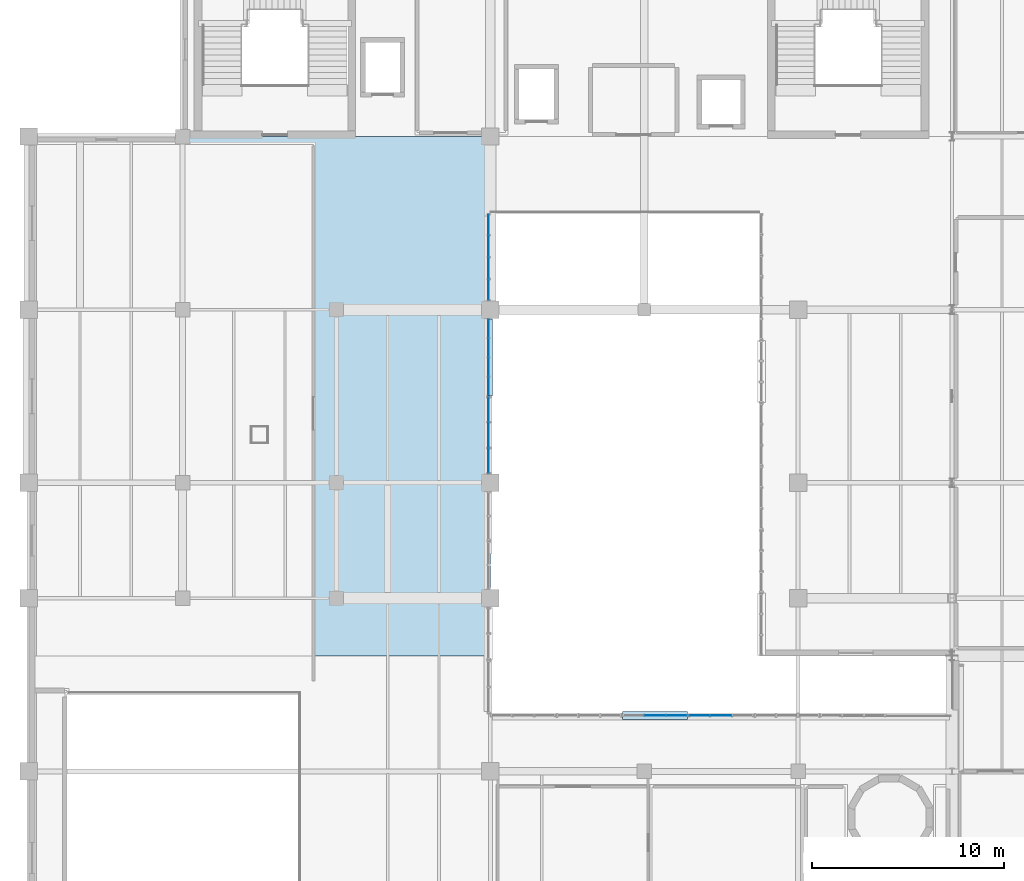
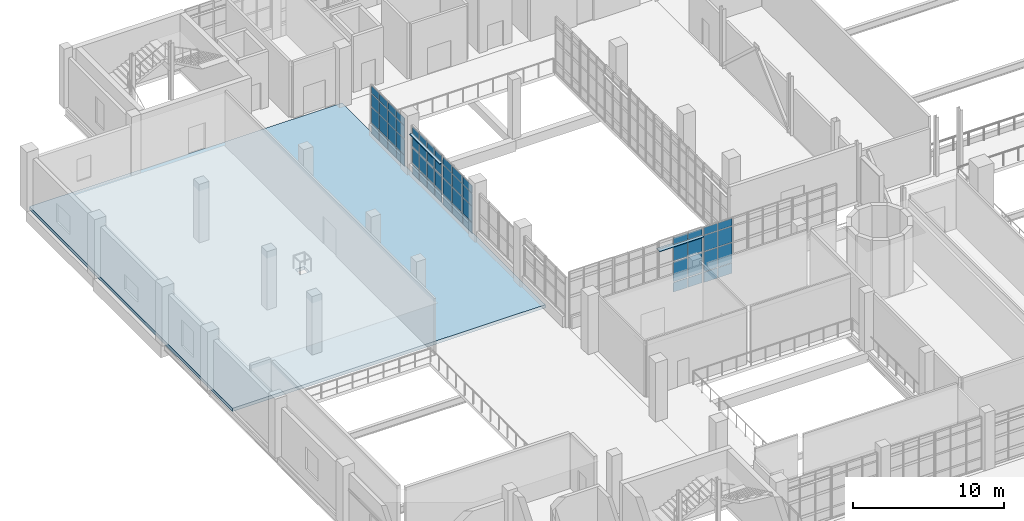
# One storey, part 68 of 102: 62 plates, 1 slab, 5 elements without a shape of their own.
"""IFC4 building model written with IfcOpenShell, lengths in metres."""

from ifc_helpers import new_model, si_unit, derived_unit, direction, frame, origin, origin_2d, place, context, subcontext, project, spatial, polyline, rectangle, outline, extrude, material, layer, layer_set, type_object, element, aggregate, save


model = new_model("IFC4")

# Units and contexts
model_context = context("Model", 3, precision=1e-05, world=origin(), true_north=direction((0.0, 1.0)))
body_context = subcontext(model_context, "Body", "Model", "MODEL_VIEW")
ifc_project = project(units=[si_unit("LENGTHUNIT", "METRE"), si_unit("AREAUNIT", "SQUARE_METRE"), si_unit("VOLUMEUNIT", "CUBIC_METRE"), si_unit("PLANEANGLEUNIT", "RADIAN"), si_unit("MASSUNIT", "GRAM", prefix="KILO"), derived_unit("THERMALTRANSMITTANCEUNIT", [(si_unit("POWERUNIT", "WATT"), 1), (si_unit("LENGTHUNIT", "METRE"), -2), (si_unit("THERMODYNAMICTEMPERATUREUNIT", "KELVIN"), -1)])], contexts=[model_context])

# Site, building, storey
site_placement = place(None, origin())
site = spatial("IfcSite", under=ifc_project, at=site_placement, CompositionType="ELEMENT")
building_placement = place(site_placement, origin())
building = spatial("IfcBuilding", under=site, at=building_placement, Name="Nallur Shell Playhouse", CompositionType="ELEMENT")
storey_placement = place(building_placement, frame((0.0, 0.0, 15.0)))
storey = spatial("IfcBuildingStorey", under=building, at=storey_placement, Name="L04", CompositionType="ELEMENT", Elevation=15.0)

# Curtain wall, plates
ifc_material_1 = material(Name="Anodised Aluminium Double-Glazed Facade System", Category="aluminium")
ifc_layer_1 = layer(ifc_material_1, 0.179931640625)
ifc_layer_set_1 = layer_set([ifc_layer_1], Name="Anodised Aluminium Double-Glazed Facade System")
curtain_wall_type_1 = type_object("IfcCurtainWallType", Name="CW-UNIT-11", PredefinedType="NOTDEFINED", material=ifc_layer_set_1)
curtain_wall_1_placement = place(storey_placement, origin())
curtain_wall_1 = element("IfcCurtainWall", 1, at=curtain_wall_1_placement, inside=storey, type_object=curtain_wall_type_1, Name="Unitised curtain wall CW-139 (L04)", PredefinedType="NOTDEFINED")
ifc_material_2 = material(Name="Solar-Control Low-E Laminated Insulating Glass", Category="glass")
ifc_layer_2 = layer(ifc_material_2, 0.030029296875)
ifc_layer_set_2 = layer_set([ifc_layer_2], Name="Solar-Control Low-E Laminated Insulating Glass")
plate_type_1 = type_object("IfcPlateType", Name="PT-GLZ-03", PredefinedType="CURTAIN_PANEL", material=ifc_layer_set_2)
plate_1_placement = place(storey_placement, frame((39.909912109375, 69.416015625, 0.05712890625), z_axis=(0.0, 0.0, 1.0), x_axis=(0.0, -1.0, 0.0)))
plate_1 = element("IfcPlate", 2, at=plate_1_placement, type_object=plate_type_1, Name="CW-11 panel 1.1", PredefinedType="CURTAIN_PANEL", context=body_context, shape_type="SweptSolid", body=[
    extrude(rectangle(XDim=1.053955078125, YDim=0.030029296875, at=origin_2d()), origin(), (0.0, 0.0, 1.0), 0.818603515625),
])
plate_2_placement = place(storey_placement, frame((39.909912109375, 69.416015625, 0.92431640625), z_axis=(0.0, 0.0, 1.0), x_axis=(0.0, -1.0, 0.0)))
plate_2 = element("IfcPlate", 3, at=plate_2_placement, type_object=plate_type_1, Name="CW-11 panel 1.2", PredefinedType="CURTAIN_PANEL", context=body_context, shape_type="SweptSolid", body=[
    extrude(rectangle(XDim=1.053955078125, YDim=0.030029296875, at=origin_2d()), origin(), (0.0, 0.0, 1.0), 1.277099609375),
])
plate_3_placement = place(storey_placement, frame((39.909912109375, 69.416015625, 2.25048828125), z_axis=(0.0, 0.0, 1.0), x_axis=(0.0, -1.0, 0.0)))
plate_3 = element("IfcPlate", 4, at=plate_3_placement, type_object=plate_type_1, Name="CW-11 panel 1.3", PredefinedType="CURTAIN_PANEL", context=body_context, shape_type="SweptSolid", body=[
    extrude(rectangle(XDim=1.053955078125, YDim=0.030029296875, at=origin_2d()), origin(), (0.0, 0.0, 1.0), 1.02001953125),
])
plate_4_placement = place(storey_placement, frame((39.909912109375, 69.416015625, 3.3193359375), z_axis=(0.0, 0.0, 1.0), x_axis=(0.0, -1.0, 0.0)))
plate_4 = element("IfcPlate", 5, at=plate_4_placement, type_object=plate_type_1, Name="CW-11 panel 1.4", PredefinedType="CURTAIN_PANEL", context=body_context, shape_type="SweptSolid", body=[
    extrude(rectangle(XDim=1.053955078125, YDim=0.030029296875, at=origin_2d()), origin(), (0.0, 0.0, 1.0), 0.598388671875),
])
plate_5_placement = place(storey_placement, frame((39.909912109375, 68.296630859375, 0.05712890625), z_axis=(0.0, 0.0, 1.0), x_axis=(0.0, -1.0, 0.0)))
plate_5 = element("IfcPlate", 6, at=plate_5_placement, type_object=plate_type_1, Name="CW-11 panel 2.1", PredefinedType="CURTAIN_PANEL", context=body_context, shape_type="SweptSolid", body=[
    extrude(rectangle(XDim=1.08642578125, YDim=0.030029296875, at=origin_2d()), origin(), (0.0, 0.0, 1.0), 0.818603515625),
])
plate_6_placement = place(storey_placement, frame((39.909912109375, 68.296630859375, 0.92431640625), z_axis=(0.0, 0.0, 1.0), x_axis=(0.0, -1.0, 0.0)))
plate_6 = element("IfcPlate", 7, at=plate_6_placement, type_object=plate_type_1, Name="CW-11 panel 2.2", PredefinedType="CURTAIN_PANEL", context=body_context, shape_type="SweptSolid", body=[
    extrude(rectangle(XDim=1.08642578125, YDim=0.030029296875, at=origin_2d()), origin(), (0.0, 0.0, 1.0), 1.277099609375),
])
plate_7_placement = place(storey_placement, frame((39.909912109375, 68.296630859375, 2.25048828125), z_axis=(0.0, 0.0, 1.0), x_axis=(0.0, -1.0, 0.0)))
plate_7 = element("IfcPlate", 8, at=plate_7_placement, type_object=plate_type_1, Name="CW-11 panel 2.3", PredefinedType="CURTAIN_PANEL", context=body_context, shape_type="SweptSolid", body=[
    extrude(rectangle(XDim=1.08642578125, YDim=0.030029296875, at=origin_2d()), origin(), (0.0, 0.0, 1.0), 1.02001953125),
])
plate_8_placement = place(storey_placement, frame((39.909912109375, 68.296630859375, 3.3193359375), z_axis=(0.0, 0.0, 1.0), x_axis=(0.0, -1.0, 0.0)))
plate_8 = element("IfcPlate", 9, at=plate_8_placement, type_object=plate_type_1, Name="CW-11 panel 2.4", PredefinedType="CURTAIN_PANEL", context=body_context, shape_type="SweptSolid", body=[
    extrude(rectangle(XDim=1.08642578125, YDim=0.030029296875, at=origin_2d()), origin(), (0.0, 0.0, 1.0), 0.598388671875),
])
plate_9_placement = place(storey_placement, frame((39.909912109375, 67.1611328125, 0.05712890625), z_axis=(0.0, 0.0, 1.0), x_axis=(0.0, -1.0, 0.0)))
plate_9 = element("IfcPlate", 10, at=plate_9_placement, type_object=plate_type_1, Name="CW-11 panel 3.1", PredefinedType="CURTAIN_PANEL", context=body_context, shape_type="SweptSolid", body=[
    extrude(rectangle(XDim=1.08642578125, YDim=0.030029296875, at=origin_2d()), origin(), (0.0, 0.0, 1.0), 0.818603515625),
])
plate_10_placement = place(storey_placement, frame((39.909912109375, 67.1611328125, 0.92431640625), z_axis=(0.0, 0.0, 1.0), x_axis=(0.0, -1.0, 0.0)))
plate_10 = element("IfcPlate", 11, at=plate_10_placement, type_object=plate_type_1, Name="CW-11 panel 3.2", PredefinedType="CURTAIN_PANEL", context=body_context, shape_type="SweptSolid", body=[
    extrude(rectangle(XDim=1.08642578125, YDim=0.030029296875, at=origin_2d()), origin(), (0.0, 0.0, 1.0), 1.277099609375),
])
plate_11_placement = place(storey_placement, frame((39.909912109375, 67.1611328125, 2.25048828125), z_axis=(0.0, 0.0, 1.0), x_axis=(0.0, -1.0, 0.0)))
plate_11 = element("IfcPlate", 12, at=plate_11_placement, type_object=plate_type_1, Name="CW-11 panel 3.3", PredefinedType="CURTAIN_PANEL", context=body_context, shape_type="SweptSolid", body=[
    extrude(rectangle(XDim=1.08642578125, YDim=0.030029296875, at=origin_2d()), origin(), (0.0, 0.0, 1.0), 1.02001953125),
])
plate_12_placement = place(storey_placement, frame((39.909912109375, 67.1611328125, 3.3193359375), z_axis=(0.0, 0.0, 1.0), x_axis=(0.0, -1.0, 0.0)))
plate_12 = element("IfcPlate", 13, at=plate_12_placement, type_object=plate_type_1, Name="CW-11 panel 3.4", PredefinedType="CURTAIN_PANEL", context=body_context, shape_type="SweptSolid", body=[
    extrude(rectangle(XDim=1.08642578125, YDim=0.030029296875, at=origin_2d()), origin(), (0.0, 0.0, 1.0), 0.598388671875),
])
plate_13_placement = place(storey_placement, frame((39.909912109375, 66.0419921875, 0.05712890625), z_axis=(0.0, 0.0, 1.0), x_axis=(0.0, -1.0, 0.0)))
plate_13 = element("IfcPlate", 14, at=plate_13_placement, type_object=plate_type_1, Name="CW-11 panel 4.1", PredefinedType="CURTAIN_PANEL", context=body_context, shape_type="SweptSolid", body=[
    extrude(rectangle(XDim=1.053955078125, YDim=0.030029296875, at=origin_2d()), origin(), (0.0, 0.0, 1.0), 0.818603515625),
])
plate_14_placement = place(storey_placement, frame((39.909912109375, 66.0419921875, 0.92431640625), z_axis=(0.0, 0.0, 1.0), x_axis=(0.0, -1.0, 0.0)))
plate_14 = element("IfcPlate", 15, at=plate_14_placement, type_object=plate_type_1, Name="CW-11 panel 4.2", PredefinedType="CURTAIN_PANEL", context=body_context, shape_type="SweptSolid", body=[
    extrude(rectangle(XDim=1.053955078125, YDim=0.030029296875, at=origin_2d()), origin(), (0.0, 0.0, 1.0), 1.277099609375),
])
plate_15_placement = place(storey_placement, frame((39.909912109375, 66.0419921875, 2.25048828125), z_axis=(0.0, 0.0, 1.0), x_axis=(0.0, -1.0, 0.0)))
plate_15 = element("IfcPlate", 16, at=plate_15_placement, type_object=plate_type_1, Name="CW-11 panel 4.3", PredefinedType="CURTAIN_PANEL", context=body_context, shape_type="SweptSolid", body=[
    extrude(rectangle(XDim=1.053955078125, YDim=0.030029296875, at=origin_2d()), origin(), (0.0, 0.0, 1.0), 1.02001953125),
])
plate_16_placement = place(storey_placement, frame((39.909912109375, 66.0419921875, 3.3193359375), z_axis=(0.0, 0.0, 1.0), x_axis=(0.0, -1.0, 0.0)))
plate_16 = element("IfcPlate", 17, at=plate_16_placement, type_object=plate_type_1, Name="CW-11 panel 4.4", PredefinedType="CURTAIN_PANEL", context=body_context, shape_type="SweptSolid", body=[
    extrude(rectangle(XDim=1.053955078125, YDim=0.030029296875, at=origin_2d()), origin(), (0.0, 0.0, 1.0), 0.598388671875),
])
aggregate(curtain_wall_1, [plate_1, plate_2, plate_3, plate_4, plate_5, plate_6, plate_7, plate_8, plate_9, plate_10, plate_11, plate_12, plate_13, plate_14, plate_15, plate_16])

ifc_layer_3 = layer(ifc_material_1, 0.159912109375)
ifc_layer_set_3 = layer_set([ifc_layer_3], Name="Anodised Aluminium Double-Glazed Facade System")
curtain_wall_type_2 = type_object("IfcCurtainWallType", Name="CW-UNIT-12", PredefinedType="NOTDEFINED", material=ifc_layer_set_3)
curtain_wall_2_placement = place(storey_placement, origin())
curtain_wall_2 = element("IfcCurtainWall", 18, at=curtain_wall_2_placement, inside=storey, type_object=curtain_wall_type_2, Name="Unitised curtain wall CW-140 (L04)", PredefinedType="NOTDEFINED")
ifc_layer_4 = layer(ifc_material_2, 0.031982421875)
ifc_layer_set_4 = layer_set([ifc_layer_4], Name="Solar-Control Low-E Laminated Insulating Glass")
plate_type_2 = type_object("IfcPlateType", Name="PT-GLZ-04", PredefinedType="CURTAIN_PANEL", material=ifc_layer_set_4)
plate_17_placement = place(storey_placement, frame((39.909912109375, 64.017333984375, 0.092041015625), z_axis=(0.0, 0.0, 1.0), x_axis=(0.0, -1.0, 0.0)))
plate_17 = element("IfcPlate", 19, at=plate_17_placement, type_object=plate_type_2, Name="CW-12 panel 1.1", PredefinedType="CURTAIN_PANEL", context=body_context, shape_type="SweptSolid", body=[
    extrude(rectangle(XDim=0.9052734375, YDim=0.031982421875, at=origin_2d()), origin(), (0.0, 0.0, 1.0), 0.76611328125),
])
plate_18_placement = place(storey_placement, frame((39.909912109375, 64.017333984375, 0.94189453125), z_axis=(0.0, 0.0, 1.0), x_axis=(0.0, -1.0, 0.0)))
plate_18 = element("IfcPlate", 20, at=plate_18_placement, type_object=plate_type_2, Name="CW-12 panel 1.2", PredefinedType="CURTAIN_PANEL", context=body_context, shape_type="SweptSolid", body=[
    extrude(rectangle(XDim=0.9052734375, YDim=0.031982421875, at=origin_2d()), origin(), (0.0, 0.0, 1.0), 1.248046875),
])
plate_19_placement = place(storey_placement, frame((39.909912109375, 64.017333984375, 2.27392578125), z_axis=(0.0, 0.0, 1.0), x_axis=(0.0, -1.0, 0.0)))
plate_19 = element("IfcPlate", 21, at=plate_19_placement, type_object=plate_type_2, Name="CW-12 panel 1.3", PredefinedType="CURTAIN_PANEL", context=body_context, shape_type="SweptSolid", body=[
    extrude(rectangle(XDim=0.9052734375, YDim=0.031982421875, at=origin_2d()), origin(), (0.0, 0.0, 1.0), 0.989013671875),
])
plate_20_placement = place(storey_placement, frame((39.909912109375, 64.017333984375, 3.34716796875), z_axis=(0.0, 0.0, 1.0), x_axis=(0.0, -1.0, 0.0)))
plate_20 = element("IfcPlate", 22, at=plate_20_placement, type_object=plate_type_2, Name="CW-12 panel 1.4", PredefinedType="CURTAIN_PANEL", context=body_context, shape_type="SweptSolid", body=[
    extrude(rectangle(XDim=0.9052734375, YDim=0.031982421875, at=origin_2d()), origin(), (0.0, 0.0, 1.0), 0.5458984375),
])
plate_21_placement = place(storey_placement, frame((39.909912109375, 63.028076171875, 0.092041015625), z_axis=(0.0, 0.0, 1.0), x_axis=(0.0, -1.0, 0.0)))
plate_21 = element("IfcPlate", 23, at=plate_21_placement, type_object=plate_type_2, Name="CW-12 panel 2.1", PredefinedType="CURTAIN_PANEL", context=body_context, shape_type="SweptSolid", body=[
    extrude(rectangle(XDim=0.9453125, YDim=0.031982421875, at=origin_2d()), origin(), (0.0, 0.0, 1.0), 0.76611328125),
])
plate_22_placement = place(storey_placement, frame((39.909912109375, 63.028076171875, 0.94189453125), z_axis=(0.0, 0.0, 1.0), x_axis=(0.0, -1.0, 0.0)))
plate_22 = element("IfcPlate", 24, at=plate_22_placement, type_object=plate_type_2, Name="CW-12 panel 2.2", PredefinedType="CURTAIN_PANEL", context=body_context, shape_type="SweptSolid", body=[
    extrude(rectangle(XDim=0.9453125, YDim=0.031982421875, at=origin_2d()), origin(), (0.0, 0.0, 1.0), 1.248046875),
])
plate_23_placement = place(storey_placement, frame((39.909912109375, 63.028076171875, 2.27392578125), z_axis=(0.0, 0.0, 1.0), x_axis=(0.0, -1.0, 0.0)))
plate_23 = element("IfcPlate", 25, at=plate_23_placement, type_object=plate_type_2, Name="CW-12 panel 2.3", PredefinedType="CURTAIN_PANEL", context=body_context, shape_type="SweptSolid", body=[
    extrude(rectangle(XDim=0.9453125, YDim=0.031982421875, at=origin_2d()), origin(), (0.0, 0.0, 1.0), 0.989013671875),
])
plate_24_placement = place(storey_placement, frame((39.909912109375, 63.028076171875, 3.34716796875), z_axis=(0.0, 0.0, 1.0), x_axis=(0.0, -1.0, 0.0)))
plate_24 = element("IfcPlate", 26, at=plate_24_placement, type_object=plate_type_2, Name="CW-12 panel 2.4", PredefinedType="CURTAIN_PANEL", context=body_context, shape_type="SweptSolid", body=[
    extrude(rectangle(XDim=0.9453125, YDim=0.031982421875, at=origin_2d()), origin(), (0.0, 0.0, 1.0), 0.5458984375),
])
plate_25_placement = place(storey_placement, frame((39.909912109375, 62.018798828125, 0.092041015625), z_axis=(0.0, 0.0, 1.0), x_axis=(0.0, -1.0, 0.0)))
plate_25 = element("IfcPlate", 27, at=plate_25_placement, type_object=plate_type_2, Name="CW-12 panel 3.1", PredefinedType="CURTAIN_PANEL", context=body_context, shape_type="SweptSolid", body=[
    extrude(rectangle(XDim=0.9453125, YDim=0.031982421875, at=origin_2d()), origin(), (0.0, 0.0, 1.0), 0.76611328125),
])
plate_26_placement = place(storey_placement, frame((39.909912109375, 62.018798828125, 0.94189453125), z_axis=(0.0, 0.0, 1.0), x_axis=(0.0, -1.0, 0.0)))
plate_26 = element("IfcPlate", 28, at=plate_26_placement, type_object=plate_type_2, Name="CW-12 panel 3.2", PredefinedType="CURTAIN_PANEL", context=body_context, shape_type="SweptSolid", body=[
    extrude(rectangle(XDim=0.9453125, YDim=0.031982421875, at=origin_2d()), origin(), (0.0, 0.0, 1.0), 1.248046875),
])
plate_27_placement = place(storey_placement, frame((39.909912109375, 62.018798828125, 2.27392578125), z_axis=(0.0, 0.0, 1.0), x_axis=(0.0, -1.0, 0.0)))
plate_27 = element("IfcPlate", 29, at=plate_27_placement, type_object=plate_type_2, Name="CW-12 panel 3.3", PredefinedType="CURTAIN_PANEL", context=body_context, shape_type="SweptSolid", body=[
    extrude(rectangle(XDim=0.9453125, YDim=0.031982421875, at=origin_2d()), origin(), (0.0, 0.0, 1.0), 0.989013671875),
])
plate_28_placement = place(storey_placement, frame((39.909912109375, 62.018798828125, 3.34716796875), z_axis=(0.0, 0.0, 1.0), x_axis=(0.0, -1.0, 0.0)))
plate_28 = element("IfcPlate", 30, at=plate_28_placement, type_object=plate_type_2, Name="CW-12 panel 3.4", PredefinedType="CURTAIN_PANEL", context=body_context, shape_type="SweptSolid", body=[
    extrude(rectangle(XDim=0.9453125, YDim=0.031982421875, at=origin_2d()), origin(), (0.0, 0.0, 1.0), 0.5458984375),
])
plate_29_placement = place(storey_placement, frame((39.909912109375, 61.029541015625, 0.092041015625), z_axis=(0.0, 0.0, 1.0), x_axis=(0.0, -1.0, 0.0)))
plate_29 = element("IfcPlate", 31, at=plate_29_placement, type_object=plate_type_2, Name="CW-12 panel 4.1", PredefinedType="CURTAIN_PANEL", context=body_context, shape_type="SweptSolid", body=[
    extrude(rectangle(XDim=0.9052734375, YDim=0.031982421875, at=origin_2d()), origin(), (0.0, 0.0, 1.0), 0.76611328125),
])
plate_30_placement = place(storey_placement, frame((39.909912109375, 61.029541015625, 0.94189453125), z_axis=(0.0, 0.0, 1.0), x_axis=(0.0, -1.0, 0.0)))
plate_30 = element("IfcPlate", 32, at=plate_30_placement, type_object=plate_type_2, Name="CW-12 panel 4.2", PredefinedType="CURTAIN_PANEL", context=body_context, shape_type="SweptSolid", body=[
    extrude(rectangle(XDim=0.9052734375, YDim=0.031982421875, at=origin_2d()), origin(), (0.0, 0.0, 1.0), 1.248046875),
])
plate_31_placement = place(storey_placement, frame((39.909912109375, 61.029541015625, 2.27392578125), z_axis=(0.0, 0.0, 1.0), x_axis=(0.0, -1.0, 0.0)))
plate_31 = element("IfcPlate", 33, at=plate_31_placement, type_object=plate_type_2, Name="CW-12 panel 4.3", PredefinedType="CURTAIN_PANEL", context=body_context, shape_type="SweptSolid", body=[
    extrude(rectangle(XDim=0.9052734375, YDim=0.031982421875, at=origin_2d()), origin(), (0.0, 0.0, 1.0), 0.989013671875),
])
plate_32_placement = place(storey_placement, frame((39.909912109375, 61.029541015625, 3.34716796875), z_axis=(0.0, 0.0, 1.0), x_axis=(0.0, -1.0, 0.0)))
plate_32 = element("IfcPlate", 34, at=plate_32_placement, type_object=plate_type_2, Name="CW-12 panel 4.4", PredefinedType="CURTAIN_PANEL", context=body_context, shape_type="SweptSolid", body=[
    extrude(rectangle(XDim=0.9052734375, YDim=0.031982421875, at=origin_2d()), origin(), (0.0, 0.0, 1.0), 0.5458984375),
])
aggregate(curtain_wall_2, [plate_17, plate_18, plate_19, plate_20, plate_21, plate_22, plate_23, plate_24, plate_25, plate_26, plate_27, plate_28, plate_29, plate_30, plate_31, plate_32])

ifc_layer_5 = layer(ifc_material_1, 0.16796875)
ifc_layer_set_5 = layer_set([ifc_layer_5], Name="Anodised Aluminium Double-Glazed Facade System")
curtain_wall_type_3 = type_object("IfcCurtainWallType", Name="CW-UNIT-20", PredefinedType="NOTDEFINED", material=ifc_layer_set_5)
curtain_wall_3_placement = place(storey_placement, origin())
curtain_wall_3 = element("IfcCurtainWall", 35, at=curtain_wall_3_placement, inside=storey, type_object=curtain_wall_type_3, Name="Unitised curtain wall CW-148 (L04)", PredefinedType="NOTDEFINED")
plate_33_placement = place(storey_placement, frame((48.5712890625, 43.909912109375, 0.092041015625), z_axis=(0.0, 0.0, 1.0), x_axis=(1.0, 0.0, 0.0)))
plate_33 = element("IfcPlate", 36, at=plate_33_placement, type_object=plate_type_2, Name="CW-20 panel 2.1", PredefinedType="CURTAIN_PANEL", context=body_context, shape_type="SweptSolid", body=[
    extrude(rectangle(XDim=1.090576171875, YDim=0.031982421875, at=origin_2d()), origin(), (0.0, 0.0, 1.0), 0.76611328125),
])
plate_34_placement = place(storey_placement, frame((48.5712890625, 43.909912109375, 0.94189453125), z_axis=(0.0, 0.0, 1.0), x_axis=(1.0, 0.0, 0.0)))
plate_34 = element("IfcPlate", 37, at=plate_34_placement, type_object=plate_type_2, Name="CW-20 panel 2.2", PredefinedType="CURTAIN_PANEL", context=body_context, shape_type="SweptSolid", body=[
    extrude(rectangle(XDim=1.090576171875, YDim=0.031982421875, at=origin_2d()), origin(), (0.0, 0.0, 1.0), 1.5810546875),
])
plate_35_placement = place(storey_placement, frame((48.5712890625, 43.909912109375, 2.60693359375), z_axis=(0.0, 0.0, 1.0), x_axis=(1.0, 0.0, 0.0)))
plate_35 = element("IfcPlate", 38, at=plate_35_placement, type_object=plate_type_2, Name="CW-20 panel 2.3", PredefinedType="CURTAIN_PANEL", context=body_context, shape_type="SweptSolid", body=[
    extrude(rectangle(XDim=1.090576171875, YDim=0.031982421875, at=origin_2d()), origin(), (0.0, 0.0, 1.0), 1.2509765625),
])
plate_36_placement = place(storey_placement, frame((48.5712890625, 43.909912109375, 3.942138671875), z_axis=(0.0, 0.0, 1.0), x_axis=(1.0, 0.0, 0.0)))
plate_36 = element("IfcPlate", 39, at=plate_36_placement, type_object=plate_type_2, Name="CW-20 panel 2.4", PredefinedType="CURTAIN_PANEL", context=body_context, shape_type="SweptSolid", body=[
    extrude(rectangle(XDim=1.090576171875, YDim=0.031982421875, at=origin_2d()), origin(), (0.0, 0.0, 1.0), 0.5458984375),
])
plate_37_placement = place(storey_placement, frame((49.694580078125, 43.909912109375, 0.092041015625), z_axis=(0.0, 0.0, 1.0), x_axis=(1.0, 0.0, 0.0)))
plate_37 = element("IfcPlate", 40, at=plate_37_placement, type_object=plate_type_2, Name="CW-20 panel 3.1", PredefinedType="CURTAIN_PANEL", context=body_context, shape_type="SweptSolid", body=[
    extrude(rectangle(XDim=1.05810546875, YDim=0.031982421875, at=origin_2d()), origin(), (0.0, 0.0, 1.0), 0.76611328125),
])
plate_38_placement = place(storey_placement, frame((49.694580078125, 43.909912109375, 0.94189453125), z_axis=(0.0, 0.0, 1.0), x_axis=(1.0, 0.0, 0.0)))
plate_38 = element("IfcPlate", 41, at=plate_38_placement, type_object=plate_type_2, Name="CW-20 panel 3.2", PredefinedType="CURTAIN_PANEL", context=body_context, shape_type="SweptSolid", body=[
    extrude(rectangle(XDim=1.05810546875, YDim=0.031982421875, at=origin_2d()), origin(), (0.0, 0.0, 1.0), 1.5810546875),
])
plate_39_placement = place(storey_placement, frame((49.694580078125, 43.909912109375, 2.60693359375), z_axis=(0.0, 0.0, 1.0), x_axis=(1.0, 0.0, 0.0)))
plate_39 = element("IfcPlate", 42, at=plate_39_placement, type_object=plate_type_2, Name="CW-20 panel 3.3", PredefinedType="CURTAIN_PANEL", context=body_context, shape_type="SweptSolid", body=[
    extrude(rectangle(XDim=1.05810546875, YDim=0.031982421875, at=origin_2d()), origin(), (0.0, 0.0, 1.0), 1.2509765625),
])
plate_40_placement = place(storey_placement, frame((49.694580078125, 43.909912109375, 3.942138671875), z_axis=(0.0, 0.0, 1.0), x_axis=(1.0, 0.0, 0.0)))
plate_40 = element("IfcPlate", 43, at=plate_40_placement, type_object=plate_type_2, Name="CW-20 panel 3.4", PredefinedType="CURTAIN_PANEL", context=body_context, shape_type="SweptSolid", body=[
    extrude(rectangle(XDim=1.05810546875, YDim=0.031982421875, at=origin_2d()), origin(), (0.0, 0.0, 1.0), 0.5458984375),
])
aggregate(curtain_wall_3, [plate_33, plate_34, plate_35, plate_36, plate_37, plate_38, plate_39, plate_40])

ifc_layer_6 = layer(ifc_material_1, 0.1640625)
ifc_layer_set_6 = layer_set([ifc_layer_6], Name="Anodised Aluminium Double-Glazed Facade System")
curtain_wall_type_4 = type_object("IfcCurtainWallType", Name="CW-UNIT-13", PredefinedType="NOTDEFINED", material=ifc_layer_set_6)
curtain_wall_4_placement = place(storey_placement, origin())
curtain_wall_4 = element("IfcCurtainWall", 44, at=curtain_wall_4_placement, inside=storey, type_object=curtain_wall_type_4, Name="Unitised curtain wall CW-141 (L04)", PredefinedType="NOTDEFINED")
ifc_layer_7 = layer(ifc_material_2, 0.033935546875)
ifc_layer_set_7 = layer_set([ifc_layer_7], Name="Solar-Control Low-E Laminated Insulating Glass")
plate_type_3 = type_object("IfcPlateType", Name="PT-GLZ-05", PredefinedType="CURTAIN_PANEL", material=ifc_layer_set_7)
plate_41_placement = place(storey_placement, frame((39.909912109375, 59.803466796875, 0.05712890625), z_axis=(0.0, 0.0, 1.0), x_axis=(0.0, -1.0, 0.0)))
plate_41 = element("IfcPlate", 45, at=plate_41_placement, type_object=plate_type_3, Name="CW-13 panel 1.1", PredefinedType="CURTAIN_PANEL", context=body_context, shape_type="SweptSolid", body=[
    extrude(rectangle(XDim=1.249267578125, YDim=0.033935546875, at=origin_2d()), origin(), (0.0, 0.0, 1.0), 0.818603515625),
])
plate_42_placement = place(storey_placement, frame((39.909912109375, 59.803466796875, 0.924560546875), z_axis=(0.0, 0.0, 1.0), x_axis=(0.0, -1.0, 0.0)))
plate_42 = element("IfcPlate", 46, at=plate_42_placement, type_object=plate_type_3, Name="CW-13 panel 1.2", PredefinedType="CURTAIN_PANEL", context=body_context, shape_type="SweptSolid", body=[
    extrude(rectangle(XDim=1.249267578125, YDim=0.033935546875, at=origin_2d()), origin(), (0.0, 0.0, 1.0), 1.27099609375),
])
plate_43_placement = place(storey_placement, frame((39.909912109375, 59.803466796875, 2.244384765625), z_axis=(0.0, 0.0, 1.0), x_axis=(0.0, -1.0, 0.0)))
plate_43 = element("IfcPlate", 47, at=plate_43_placement, type_object=plate_type_3, Name="CW-13 panel 1.3", PredefinedType="CURTAIN_PANEL", context=body_context, shape_type="SweptSolid", body=[
    extrude(rectangle(XDim=1.249267578125, YDim=0.033935546875, at=origin_2d()), origin(), (0.0, 0.0, 1.0), 1.01611328125),
])
plate_44_placement = place(storey_placement, frame((39.909912109375, 59.803466796875, 3.3095703125), z_axis=(0.0, 0.0, 1.0), x_axis=(0.0, -1.0, 0.0)))
plate_44 = element("IfcPlate", 48, at=plate_44_placement, type_object=plate_type_3, Name="CW-13 panel 1.4", PredefinedType="CURTAIN_PANEL", context=body_context, shape_type="SweptSolid", body=[
    extrude(rectangle(XDim=1.249267578125, YDim=0.033935546875, at=origin_2d()), origin(), (0.0, 0.0, 1.0), 0.598388671875),
])
plate_45_placement = place(storey_placement, frame((39.909912109375, 58.4765625, 0.05712890625), z_axis=(0.0, 0.0, 1.0), x_axis=(0.0, -1.0, 0.0)))
plate_45 = element("IfcPlate", 49, at=plate_45_placement, type_object=plate_type_3, Name="CW-13 panel 2.1", PredefinedType="CURTAIN_PANEL", context=body_context, shape_type="SweptSolid", body=[
    extrude(rectangle(XDim=1.28662109375, YDim=0.033935546875, at=origin_2d()), origin(), (0.0, 0.0, 1.0), 0.818603515625),
])
plate_46_placement = place(storey_placement, frame((39.909912109375, 58.4765625, 0.924560546875), z_axis=(0.0, 0.0, 1.0), x_axis=(0.0, -1.0, 0.0)))
plate_46 = element("IfcPlate", 50, at=plate_46_placement, type_object=plate_type_3, Name="CW-13 panel 2.2", PredefinedType="CURTAIN_PANEL", context=body_context, shape_type="SweptSolid", body=[
    extrude(rectangle(XDim=1.28662109375, YDim=0.033935546875, at=origin_2d()), origin(), (0.0, 0.0, 1.0), 1.27099609375),
])
plate_47_placement = place(storey_placement, frame((39.909912109375, 58.4765625, 2.244384765625), z_axis=(0.0, 0.0, 1.0), x_axis=(0.0, -1.0, 0.0)))
plate_47 = element("IfcPlate", 51, at=plate_47_placement, type_object=plate_type_3, Name="CW-13 panel 2.3", PredefinedType="CURTAIN_PANEL", context=body_context, shape_type="SweptSolid", body=[
    extrude(rectangle(XDim=1.28662109375, YDim=0.033935546875, at=origin_2d()), origin(), (0.0, 0.0, 1.0), 1.01611328125),
])
plate_48_placement = place(storey_placement, frame((39.909912109375, 58.4765625, 3.3095703125), z_axis=(0.0, 0.0, 1.0), x_axis=(0.0, -1.0, 0.0)))
plate_48 = element("IfcPlate", 52, at=plate_48_placement, type_object=plate_type_3, Name="CW-13 panel 2.4", PredefinedType="CURTAIN_PANEL", context=body_context, shape_type="SweptSolid", body=[
    extrude(rectangle(XDim=1.28662109375, YDim=0.033935546875, at=origin_2d()), origin(), (0.0, 0.0, 1.0), 0.598388671875),
])
plate_49_placement = place(storey_placement, frame((39.909912109375, 57.149658203125, 0.05712890625), z_axis=(0.0, 0.0, 1.0), x_axis=(0.0, -1.0, 0.0)))
plate_49 = element("IfcPlate", 53, at=plate_49_placement, type_object=plate_type_3, Name="CW-13 panel 3.1", PredefinedType="CURTAIN_PANEL", context=body_context, shape_type="SweptSolid", body=[
    extrude(rectangle(XDim=1.249267578125, YDim=0.033935546875, at=origin_2d()), origin(), (0.0, 0.0, 1.0), 0.818603515625),
])
plate_50_placement = place(storey_placement, frame((39.909912109375, 57.149658203125, 0.924560546875), z_axis=(0.0, 0.0, 1.0), x_axis=(0.0, -1.0, 0.0)))
plate_50 = element("IfcPlate", 54, at=plate_50_placement, type_object=plate_type_3, Name="CW-13 panel 3.2", PredefinedType="CURTAIN_PANEL", context=body_context, shape_type="SweptSolid", body=[
    extrude(rectangle(XDim=1.249267578125, YDim=0.033935546875, at=origin_2d()), origin(), (0.0, 0.0, 1.0), 1.27099609375),
])
plate_51_placement = place(storey_placement, frame((39.909912109375, 57.149658203125, 2.244384765625), z_axis=(0.0, 0.0, 1.0), x_axis=(0.0, -1.0, 0.0)))
plate_51 = element("IfcPlate", 55, at=plate_51_placement, type_object=plate_type_3, Name="CW-13 panel 3.3", PredefinedType="CURTAIN_PANEL", context=body_context, shape_type="SweptSolid", body=[
    extrude(rectangle(XDim=1.249267578125, YDim=0.033935546875, at=origin_2d()), origin(), (0.0, 0.0, 1.0), 1.01611328125),
])
plate_52_placement = place(storey_placement, frame((39.909912109375, 57.149658203125, 3.3095703125), z_axis=(0.0, 0.0, 1.0), x_axis=(0.0, -1.0, 0.0)))
plate_52 = element("IfcPlate", 56, at=plate_52_placement, type_object=plate_type_3, Name="CW-13 panel 3.4", PredefinedType="CURTAIN_PANEL", context=body_context, shape_type="SweptSolid", body=[
    extrude(rectangle(XDim=1.249267578125, YDim=0.033935546875, at=origin_2d()), origin(), (0.0, 0.0, 1.0), 0.598388671875),
])
aggregate(curtain_wall_4, [plate_41, plate_42, plate_43, plate_44, plate_45, plate_46, plate_47, plate_48, plate_49, plate_50, plate_51, plate_52])

ifc_layer_8 = layer(ifc_material_1, 0.172119140625)
ifc_layer_set_8 = layer_set([ifc_layer_8], Name="Anodised Aluminium Double-Glazed Facade System")
curtain_wall_type_5 = type_object("IfcCurtainWallType", Name="CW-UNIT-21", PredefinedType="NOTDEFINED", material=ifc_layer_set_8)
curtain_wall_5_placement = place(storey_placement, origin())
curtain_wall_5 = element("IfcCurtainWall", 57, at=curtain_wall_5_placement, inside=storey, type_object=curtain_wall_type_5, Name="Unitised curtain wall CW-149 (L04)", PredefinedType="NOTDEFINED")
plate_53_placement = place(storey_placement, frame((50.88037109375, 43.909912109375, 0.05712890625), z_axis=(0.0, 0.0, 1.0), x_axis=(1.0, 0.0, 0.0)))
plate_53 = element("IfcPlate", 58, at=plate_53_placement, type_object=plate_type_3, Name="CW-21 panel 1.1", PredefinedType="CURTAIN_PANEL", context=body_context, shape_type="SweptSolid", body=[
    extrude(rectangle(XDim=1.03564453125, YDim=0.033935546875, at=origin_2d()), origin(), (0.0, 0.0, 1.0), 0.818603515625),
])
plate_54_placement = place(storey_placement, frame((50.88037109375, 43.909912109375, 0.924560546875), z_axis=(0.0, 0.0, 1.0), x_axis=(1.0, 0.0, 0.0)))
plate_54 = element("IfcPlate", 59, at=plate_54_placement, type_object=plate_type_3, Name="CW-21 panel 1.2", PredefinedType="CURTAIN_PANEL", context=body_context, shape_type="SweptSolid", body=[
    extrude(rectangle(XDim=1.03564453125, YDim=0.033935546875, at=origin_2d()), origin(), (0.0, 0.0, 1.0), 1.60498046875),
])
plate_55_placement = place(storey_placement, frame((50.88037109375, 43.909912109375, 2.57861328125), z_axis=(0.0, 0.0, 1.0), x_axis=(1.0, 0.0, 0.0)))
plate_55 = element("IfcPlate", 60, at=plate_55_placement, type_object=plate_type_3, Name="CW-21 panel 1.3", PredefinedType="CURTAIN_PANEL", context=body_context, shape_type="SweptSolid", body=[
    extrude(rectangle(XDim=1.03564453125, YDim=0.033935546875, at=origin_2d()), origin(), (0.0, 0.0, 1.0), 1.277099609375),
])
plate_56_placement = place(storey_placement, frame((50.88037109375, 43.909912109375, 3.90478515625), z_axis=(0.0, 0.0, 1.0), x_axis=(1.0, 0.0, 0.0)))
plate_56 = element("IfcPlate", 61, at=plate_56_placement, type_object=plate_type_3, Name="CW-21 panel 1.4", PredefinedType="CURTAIN_PANEL", context=body_context, shape_type="SweptSolid", body=[
    extrude(rectangle(XDim=1.03564453125, YDim=0.033935546875, at=origin_2d()), origin(), (0.0, 0.0, 1.0), 0.598388671875),
])
plate_57_placement = place(storey_placement, frame((52.0, 43.909912109375, 0.05712890625), z_axis=(0.0, 0.0, 1.0), x_axis=(1.0, 0.0, 0.0)))
plate_57 = element("IfcPlate", 62, at=plate_57_placement, type_object=plate_type_3, Name="CW-21 panel 2.1", PredefinedType="CURTAIN_PANEL", context=body_context, shape_type="SweptSolid", body=[
    extrude(rectangle(XDim=1.075439453125, YDim=0.033935546875, at=origin_2d()), origin(), (0.0, 0.0, 1.0), 0.818603515625),
])
plate_58_placement = place(storey_placement, frame((52.0, 43.909912109375, 0.924560546875), z_axis=(0.0, 0.0, 1.0), x_axis=(1.0, 0.0, 0.0)))
plate_58 = element("IfcPlate", 63, at=plate_58_placement, type_object=plate_type_3, Name="CW-21 panel 2.2", PredefinedType="CURTAIN_PANEL", context=body_context, shape_type="SweptSolid", body=[
    extrude(rectangle(XDim=1.075439453125, YDim=0.033935546875, at=origin_2d()), origin(), (0.0, 0.0, 1.0), 1.60498046875),
])
plate_59_placement = place(storey_placement, frame((52.0, 43.909912109375, 2.57861328125), z_axis=(0.0, 0.0, 1.0), x_axis=(1.0, 0.0, 0.0)))
plate_59 = element("IfcPlate", 64, at=plate_59_placement, type_object=plate_type_3, Name="CW-21 panel 2.3", PredefinedType="CURTAIN_PANEL", context=body_context, shape_type="SweptSolid", body=[
    extrude(rectangle(XDim=1.075439453125, YDim=0.033935546875, at=origin_2d()), origin(), (0.0, 0.0, 1.0), 1.277099609375),
])
plate_60_placement = place(storey_placement, frame((52.0, 43.909912109375, 3.90478515625), z_axis=(0.0, 0.0, 1.0), x_axis=(1.0, 0.0, 0.0)))
plate_60 = element("IfcPlate", 65, at=plate_60_placement, type_object=plate_type_3, Name="CW-21 panel 2.4", PredefinedType="CURTAIN_PANEL", context=body_context, shape_type="SweptSolid", body=[
    extrude(rectangle(XDim=1.075439453125, YDim=0.033935546875, at=origin_2d()), origin(), (0.0, 0.0, 1.0), 0.598388671875),
])
aggregate(curtain_wall_5, [plate_53, plate_54, plate_55, plate_56, plate_57, plate_58, plate_59, plate_60])

# Plates
ifc_material_3 = material(Name="Terracotta & Gold-Anodised Monsoon Sunshade Blade", Category="masonry")
ifc_layer_9 = layer(ifc_material_3, 0.044921875)
ifc_layer_set_9 = layer_set([ifc_layer_9], Name="Terracotta & Gold-Anodised Monsoon Sunshade Blade")
plate_type_4 = type_object("IfcPlateType", Name="PT-LOUVRE-01", PredefinedType="USERDEFINED", material=ifc_layer_set_9)
plate_61_placement = place(storey_placement, frame((48.5712890625, 43.909912109375, 3.87744140625), z_axis=(0.0, 0.0, 1.0), x_axis=(1.0, 0.0, 0.0)))
element("IfcPlate", 66, at=plate_61_placement, inside=storey, type_object=plate_type_4, Name="Monsoon sunshade louvre blade LV-037", ObjectType="SUNSHADE LOUVRE", PredefinedType="USERDEFINED", context=body_context, shape_type="SweptSolid", body=[
    extrude(rectangle(XDim=3.37890625, YDim=0.419921875, at=origin_2d()), origin(), (0.0, 0.0, 1.0), 0.044921875),
])
ifc_layer_10 = layer(ifc_material_3, 0.054931640625)
ifc_layer_set_10 = layer_set([ifc_layer_10], Name="Terracotta & Gold-Anodised Monsoon Sunshade Blade")
plate_type_5 = type_object("IfcPlateType", Name="PT-LOUVRE-03", PredefinedType="USERDEFINED", material=ifc_layer_set_10)
plate_62_placement = place(storey_placement, frame((39.909912109375, 62.5234375, 3.27734375), z_axis=(0.0, 0.0, 1.0), x_axis=(0.0, -1.0, 0.0)))
element("IfcPlate", 67, at=plate_62_placement, inside=storey, type_object=plate_type_5, Name="Monsoon sunshade louvre blade LV-035", ObjectType="SUNSHADE LOUVRE", PredefinedType="USERDEFINED", context=body_context, shape_type="SweptSolid", body=[
    extrude(rectangle(XDim=3.9970703125, YDim=0.419921875, at=origin_2d()), origin(), (0.0, 0.0, 1.0), 0.054931640625),
])

# Slab
ifc_material_4 = material(Name="Concrete M30", Category="concrete")
ifc_layer_11 = layer(ifc_material_4, 0.260009765625)
ifc_layer_set_11 = layer_set([ifc_layer_11], Name="Concrete M30")
slab_type = type_object("IfcSlabType", Name="SL-FLOOR-260", PredefinedType="FLOOR", material=ifc_layer_set_11)
slab_placement = place(storey_placement, frame((0.0, 0.0, -0.260009765625)))
element("IfcSlab", 68, at=slab_placement, inside=storey, type_object=slab_type, Name="L04 structural floor slab panel 03", PredefinedType="FLOOR", context=body_context, shape_type="SweptSolid", body=[
    extrude(outline(polyline([(16.0, 74.0), (24.0, 74.0), (40.0, 74.0), (40.0, 70.0), (40.0, 47.0), (16.0, 47.0), (16.0, 74.0)]), holes=[polyline([(27.64990234375, 58.14990234375), (28.35009765625, 58.14990234375), (28.35009765625, 58.85009765625), (27.64990234375, 58.85009765625), (27.64990234375, 58.14990234375)])]), origin(), (0.0, 0.0, 1.0), 0.260009765625),
])

save(model, "model.ifc")
